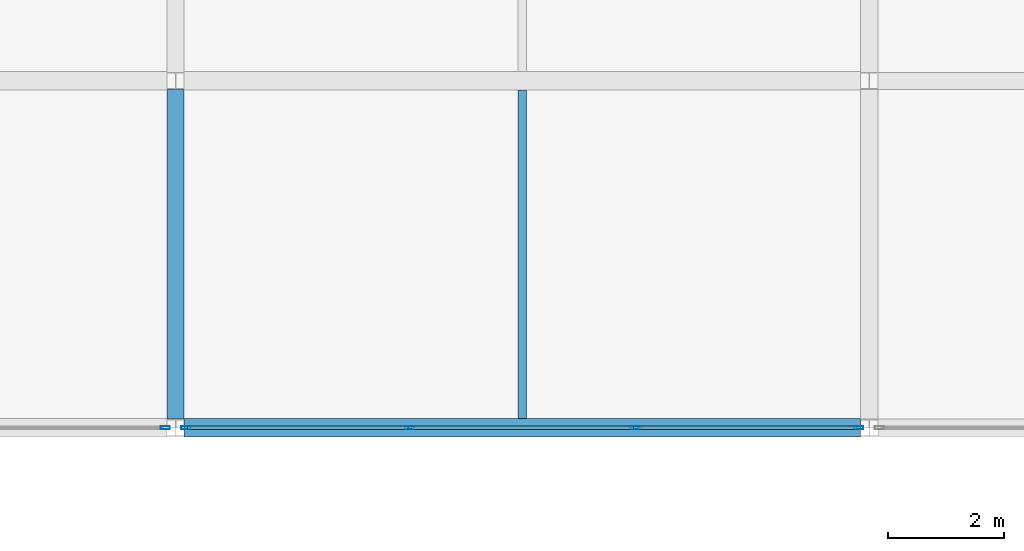
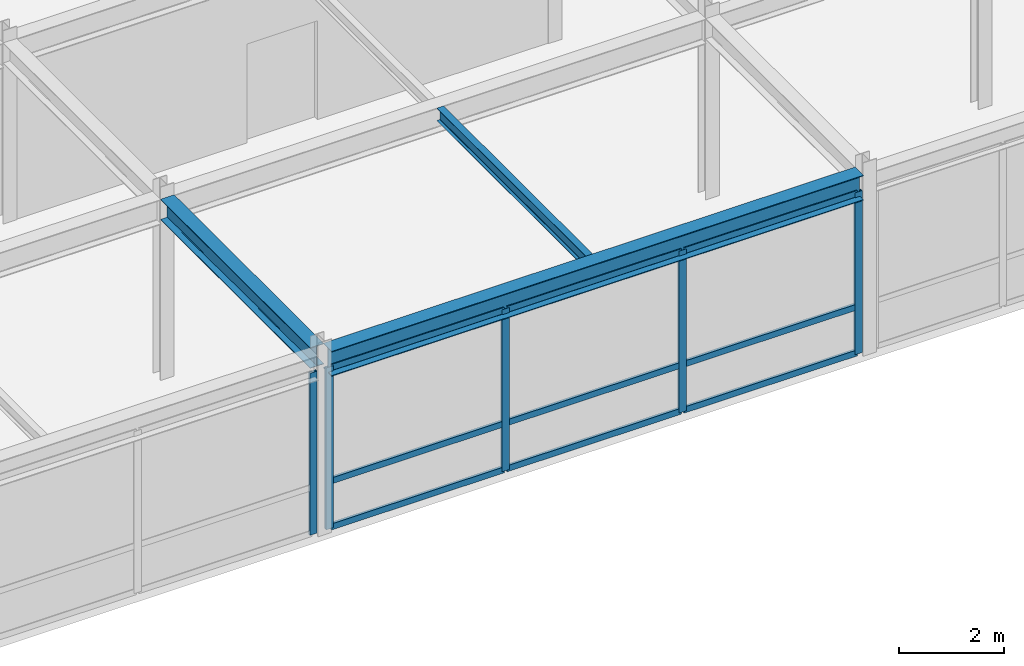
# One storey, part 89 of 108: 14 members, 3 beams, 2 elements without a shape of their own.
"""IFC4 building model written with IfcOpenShell, lengths in metres."""

from ifc_helpers import new_model, si_unit, direction, frame, origin, origin_2d, place, context, subcontext, project, spatial, hollow_rectangle, i_section, extrude, material, layer, layer_set, material_profile, profile_set, type_object, element, aggregate, save


model = new_model("IFC4")

# Units and contexts
model_context = context("Model", 3, precision=1e-05, world=origin(), true_north=direction((0.0, 1.0)))
body_context = subcontext(model_context, "Body", "Model", "MODEL_VIEW")
ifc_project = project(units=[si_unit("LENGTHUNIT", "METRE"), si_unit("AREAUNIT", "SQUARE_METRE"), si_unit("VOLUMEUNIT", "CUBIC_METRE"), si_unit("PLANEANGLEUNIT", "RADIAN"), si_unit("MASSUNIT", "GRAM", prefix="KILO")], contexts=[model_context])

# Site, building, storey
site_placement = place(None, origin())
site = spatial("IfcSite", under=ifc_project, at=site_placement, CompositionType="ELEMENT")
building_placement = place(site_placement, origin())
building = spatial("IfcBuilding", under=site, at=building_placement, Name="Zlatovratsky Civic Hall", CompositionType="ELEMENT")
storey_placement = place(building_placement, frame((0.0, 0.0, 12.0)))
storey = spatial("IfcBuildingStorey", under=building, at=storey_placement, Name="L03", CompositionType="ELEMENT", Elevation=12.0)

# Beams
ifc_material_1 = material(Name="Steel S355", Category="steel")
ifc_material_profile_1 = material_profile(ifc_material_1, i_section(OverallWidth=0.300048828125, OverallDepth=0.48193359375, WebThickness=0.010986328125, FlangeThickness=0.014892578125, FilletRadius=0.02392578125, at=origin_2d()), Name="50Sh1")
ifc_profile_set_1 = profile_set([ifc_material_profile_1], Name="Steel S355")
beam_type_1 = type_object("IfcBeamType", Name="Beam_LibraryGirder_50Sh1", PredefinedType="BEAM", material=ifc_profile_set_1)
beam_1_placement = place(storey_placement, frame((132.0, 66.14794921875, 3.97900390625), z_axis=(0.0, 1.0, 0.0), x_axis=(-1.0, 0.0, 0.0)))
element("IfcBeam", 1, at=beam_1_placement, inside=storey, type_object=beam_type_1, Name="BM-3050", PredefinedType="BEAM", context=body_context, shape_type="SweptSolid", body=[
    extrude(i_section(OverallWidth=0.300048828125, OverallDepth=0.48193359375, WebThickness=0.010986328125, FlangeThickness=0.014892578125, FilletRadius=0.02392578125, at=origin_2d()), origin(), (0.0, 0.0, 1.0), 5.7041015625),
])
ifc_material_profile_2 = material_profile(ifc_material_1, i_section(OverallWidth=0.320068359375, OverallDepth=0.58203125, WebThickness=0.011962890625, FlangeThickness=0.01708984375, FilletRadius=0.02392578125, at=origin_2d()), Name="60Sh1")
ifc_profile_set_2 = profile_set([ifc_material_profile_2], Name="Steel S355")
beam_type_2 = type_object("IfcBeamType", Name="Beam_PodiumGirder_60Sh1", PredefinedType="BEAM", material=ifc_profile_set_2)
beam_2_placement = place(storey_placement, frame((132.1494140625, 66.0, 3.928955078125), z_axis=(1.0, 0.0, 0.0), x_axis=(0.0, 1.0, 0.0)))
element("IfcBeam", 2, at=beam_2_placement, inside=storey, type_object=beam_type_2, Name="BM-2617", PredefinedType="BEAM", context=body_context, shape_type="SweptSolid", body=[
    extrude(i_section(OverallWidth=0.320068359375, OverallDepth=0.58203125, WebThickness=0.011962890625, FlangeThickness=0.01708984375, FilletRadius=0.02392578125, at=origin_2d()), origin(), (0.0, 0.0, 1.0), 11.701171875),
])

# Curtain wall, member
ifc_material_2 = material(Name="Anodised bronze aluminium", Category="aluminium")
ifc_layer = layer(ifc_material_2, 0.159912109375)
ifc_layer_set = layer_set([ifc_layer], Name="Anodised bronze aluminium")
curtain_wall_type = type_object("IfcCurtainWallType", Name="CurtainWall_Bronze_11700x3770_11", PredefinedType="NOTDEFINED", material=ifc_layer_set)
curtain_wall_1_placement = place(storey_placement, origin())
curtain_wall_1 = element("IfcCurtainWall", 3, at=curtain_wall_1_placement, inside=storey, type_object=curtain_wall_type, Name="CW-072", PredefinedType="NOTDEFINED")
ifc_material_profile_3 = material_profile(ifc_material_2, hollow_rectangle(XDim=0.06005859375, YDim=0.159912109375, WallThickness=0.00390625, at=origin_2d()), Name="ALU 60x160x4")
ifc_profile_set_3 = profile_set([ifc_material_profile_3], Name="Anodised bronze aluminium")
member_type_1 = type_object("IfcMemberType", Name="CW_Mullion_60x160", PredefinedType="MULLION", material=ifc_profile_set_3)
member_1_placement = place(storey_placement, frame((131.820556640625, 66.0, 0.0), z_axis=(0.0, 0.0, 1.0), x_axis=(0.0, 1.0, 0.0)))
member_1 = element("IfcMember", 4, at=member_1_placement, type_object=member_type_1, Name="CW-11 mullion 4", PredefinedType="MULLION", context=body_context, shape_type="SweptSolid", body=[
    extrude(hollow_rectangle(XDim=0.06005859375, YDim=0.159912109375, WallThickness=0.00390625, at=origin_2d()), origin(), (0.0, 0.0, 1.0), 3.77001953125),
])
aggregate(curtain_wall_1, [member_1])

# Curtain wall, members
curtain_wall_2_placement = place(storey_placement, origin())
curtain_wall_2 = element("IfcCurtainWall", 5, at=curtain_wall_2_placement, inside=storey, type_object=curtain_wall_type, Name="CW-073", PredefinedType="NOTDEFINED")
member_2_placement = place(storey_placement, frame((132.179443359375, 66.0, 0.0), z_axis=(0.0, 0.0, 1.0), x_axis=(0.0, 1.0, 0.0)))
member_2 = element("IfcMember", 6, at=member_2_placement, type_object=member_type_1, Name="CW-11 mullion 1", PredefinedType="MULLION", context=body_context, shape_type="SweptSolid", body=[
    extrude(hollow_rectangle(XDim=0.06005859375, YDim=0.159912109375, WallThickness=0.00390625, at=origin_2d()), origin(), (0.0, 0.0, 1.0), 3.77001953125),
])
member_3_placement = place(storey_placement, frame((136.0498046875, 66.0, 0.0), z_axis=(0.0, 0.0, 1.0), x_axis=(0.0, 1.0, 0.0)))
member_3 = element("IfcMember", 7, at=member_3_placement, type_object=member_type_1, Name="CW-11 mullion 2", PredefinedType="MULLION", context=body_context, shape_type="SweptSolid", body=[
    extrude(hollow_rectangle(XDim=0.06005859375, YDim=0.159912109375, WallThickness=0.00390625, at=origin_2d()), origin(), (0.0, 0.0, 1.0), 3.77001953125),
])
member_4_placement = place(storey_placement, frame((139.9501953125, 66.0, 0.0), z_axis=(0.0, 0.0, 1.0), x_axis=(0.0, 1.0, 0.0)))
member_4 = element("IfcMember", 8, at=member_4_placement, type_object=member_type_1, Name="CW-11 mullion 3", PredefinedType="MULLION", context=body_context, shape_type="SweptSolid", body=[
    extrude(hollow_rectangle(XDim=0.06005859375, YDim=0.159912109375, WallThickness=0.00390625, at=origin_2d()), origin(), (0.0, 0.0, 1.0), 3.77001953125),
])
member_5_placement = place(storey_placement, frame((143.820556640625, 66.0, 0.0), z_axis=(0.0, 0.0, 1.0), x_axis=(0.0, 1.0, 0.0)))
member_5 = element("IfcMember", 9, at=member_5_placement, type_object=member_type_1, Name="CW-11 mullion 4", PredefinedType="MULLION", context=body_context, shape_type="SweptSolid", body=[
    extrude(hollow_rectangle(XDim=0.06005859375, YDim=0.159912109375, WallThickness=0.00390625, at=origin_2d()), origin(), (0.0, 0.0, 1.0), 3.77001953125),
])
ifc_material_profile_4 = material_profile(ifc_material_2, hollow_rectangle(XDim=0.06005859375, YDim=0.139892578125, WallThickness=0.00390625, at=origin_2d()), Name="ALU 60x140x4")
ifc_profile_set_4 = profile_set([ifc_material_profile_4], Name="Anodised bronze aluminium")
member_type_2 = type_object("IfcMemberType", Name="CW_Transom_60x140", PredefinedType="USERDEFINED", material=ifc_profile_set_4)
member_6_placement = place(storey_placement, frame((132.20947265625, 66.0, 0.030029296875), z_axis=(1.0, 0.0, 0.0), x_axis=(0.0, 1.0, 0.0)))
member_6 = element("IfcMember", 10, at=member_6_placement, type_object=member_type_2, Name="CW-11 transom 1.1", ObjectType="TRANSOM", PredefinedType="USERDEFINED", context=body_context, shape_type="SweptSolid", body=[
    extrude(hollow_rectangle(XDim=0.06005859375, YDim=0.139892578125, WallThickness=0.00390625, at=origin_2d()), origin(), (0.0, 0.0, 1.0), 3.810302734375),
])
member_7_placement = place(storey_placement, frame((132.20947265625, 66.0, 1.10009765625), z_axis=(1.0, 0.0, 0.0), x_axis=(0.0, 1.0, 0.0)))
member_7 = element("IfcMember", 11, at=member_7_placement, type_object=member_type_2, Name="CW-11 transom 1.2", ObjectType="TRANSOM", PredefinedType="USERDEFINED", context=body_context, shape_type="SweptSolid", body=[
    extrude(hollow_rectangle(XDim=0.06005859375, YDim=0.139892578125, WallThickness=0.00390625, at=origin_2d()), origin(), (0.0, 0.0, 1.0), 3.810302734375),
])
member_8_placement = place(storey_placement, frame((132.20947265625, 66.0, 3.739990234375), z_axis=(1.0, 0.0, 0.0), x_axis=(0.0, 1.0, 0.0)))
member_8 = element("IfcMember", 12, at=member_8_placement, type_object=member_type_2, Name="CW-11 transom 1.3", ObjectType="TRANSOM", PredefinedType="USERDEFINED", context=body_context, shape_type="SweptSolid", body=[
    extrude(hollow_rectangle(XDim=0.06005859375, YDim=0.139892578125, WallThickness=0.00390625, at=origin_2d()), origin(), (0.0, 0.0, 1.0), 3.810302734375),
])
member_9_placement = place(storey_placement, frame((136.079833984375, 66.0, 0.030029296875), z_axis=(1.0, 0.0, 0.0), x_axis=(0.0, 1.0, 0.0)))
member_9 = element("IfcMember", 13, at=member_9_placement, type_object=member_type_2, Name="CW-11 transom 2.1", ObjectType="TRANSOM", PredefinedType="USERDEFINED", context=body_context, shape_type="SweptSolid", body=[
    extrude(hollow_rectangle(XDim=0.06005859375, YDim=0.139892578125, WallThickness=0.00390625, at=origin_2d()), origin(), (0.0, 0.0, 1.0), 3.84033203125),
])
member_10_placement = place(storey_placement, frame((136.079833984375, 66.0, 1.10009765625), z_axis=(1.0, 0.0, 0.0), x_axis=(0.0, 1.0, 0.0)))
member_10 = element("IfcMember", 14, at=member_10_placement, type_object=member_type_2, Name="CW-11 transom 2.2", ObjectType="TRANSOM", PredefinedType="USERDEFINED", context=body_context, shape_type="SweptSolid", body=[
    extrude(hollow_rectangle(XDim=0.06005859375, YDim=0.139892578125, WallThickness=0.00390625, at=origin_2d()), origin(), (0.0, 0.0, 1.0), 3.84033203125),
])
member_11_placement = place(storey_placement, frame((136.079833984375, 66.0, 3.739990234375), z_axis=(1.0, 0.0, 0.0), x_axis=(0.0, 1.0, 0.0)))
member_11 = element("IfcMember", 15, at=member_11_placement, type_object=member_type_2, Name="CW-11 transom 2.3", ObjectType="TRANSOM", PredefinedType="USERDEFINED", context=body_context, shape_type="SweptSolid", body=[
    extrude(hollow_rectangle(XDim=0.06005859375, YDim=0.139892578125, WallThickness=0.00390625, at=origin_2d()), origin(), (0.0, 0.0, 1.0), 3.84033203125),
])
member_12_placement = place(storey_placement, frame((139.980224609375, 66.0, 0.030029296875), z_axis=(1.0, 0.0, 0.0), x_axis=(0.0, 1.0, 0.0)))
member_12 = element("IfcMember", 16, at=member_12_placement, type_object=member_type_2, Name="CW-11 transom 3.1", ObjectType="TRANSOM", PredefinedType="USERDEFINED", context=body_context, shape_type="SweptSolid", body=[
    extrude(hollow_rectangle(XDim=0.06005859375, YDim=0.139892578125, WallThickness=0.00390625, at=origin_2d()), origin(), (0.0, 0.0, 1.0), 3.810302734375),
])
member_13_placement = place(storey_placement, frame((139.980224609375, 66.0, 1.10009765625), z_axis=(1.0, 0.0, 0.0), x_axis=(0.0, 1.0, 0.0)))
member_13 = element("IfcMember", 17, at=member_13_placement, type_object=member_type_2, Name="CW-11 transom 3.2", ObjectType="TRANSOM", PredefinedType="USERDEFINED", context=body_context, shape_type="SweptSolid", body=[
    extrude(hollow_rectangle(XDim=0.06005859375, YDim=0.139892578125, WallThickness=0.00390625, at=origin_2d()), origin(), (0.0, 0.0, 1.0), 3.810302734375),
])
member_14_placement = place(storey_placement, frame((139.980224609375, 66.0, 3.739990234375), z_axis=(1.0, 0.0, 0.0), x_axis=(0.0, 1.0, 0.0)))
member_14 = element("IfcMember", 18, at=member_14_placement, type_object=member_type_2, Name="CW-11 transom 3.3", ObjectType="TRANSOM", PredefinedType="USERDEFINED", context=body_context, shape_type="SweptSolid", body=[
    extrude(hollow_rectangle(XDim=0.06005859375, YDim=0.139892578125, WallThickness=0.00390625, at=origin_2d()), origin(), (0.0, 0.0, 1.0), 3.810302734375),
])
aggregate(curtain_wall_2, [member_2, member_3, member_4, member_5, member_6, member_7, member_8, member_9, member_10, member_11, member_12, member_13, member_14])

# Beam
ifc_material_profile_5 = material_profile(ifc_material_1, i_section(OverallWidth=0.14892578125, OverallDepth=0.2958984375, WebThickness=0.005615234375, FlangeThickness=0.008056640625, FilletRadius=0.012939453125, at=origin_2d()), Name="30B1")
ifc_profile_set_5 = profile_set([ifc_material_profile_5], Name="Steel S355")
beam_type_3 = type_object("IfcBeamType", Name="Joist_Tower_30B1", PredefinedType="JOIST", material=ifc_profile_set_5)
beam_3_placement = place(storey_placement, frame((138.0, 66.159912109375, 4.072021484375), z_axis=(0.0, 1.0, 0.0), x_axis=(-1.0, 0.0, 0.0)))
element("IfcBeam", 19, at=beam_3_placement, inside=storey, type_object=beam_type_3, Name="BM-3154", PredefinedType="JOIST", context=body_context, shape_type="SweptSolid", body=[
    extrude(i_section(OverallWidth=0.14892578125, OverallDepth=0.2958984375, WebThickness=0.005615234375, FlangeThickness=0.008056640625, FilletRadius=0.012939453125, at=origin_2d()), origin(), (0.0, 0.0, 1.0), 5.68017578125),
])

save(model, "model.ifc")
